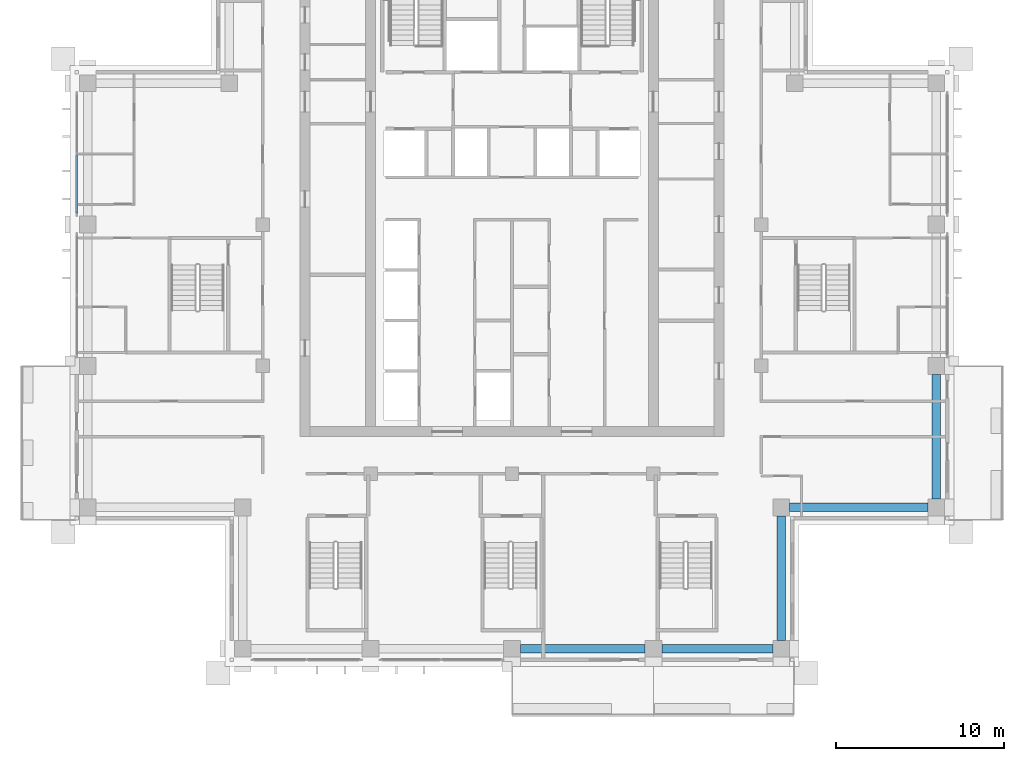
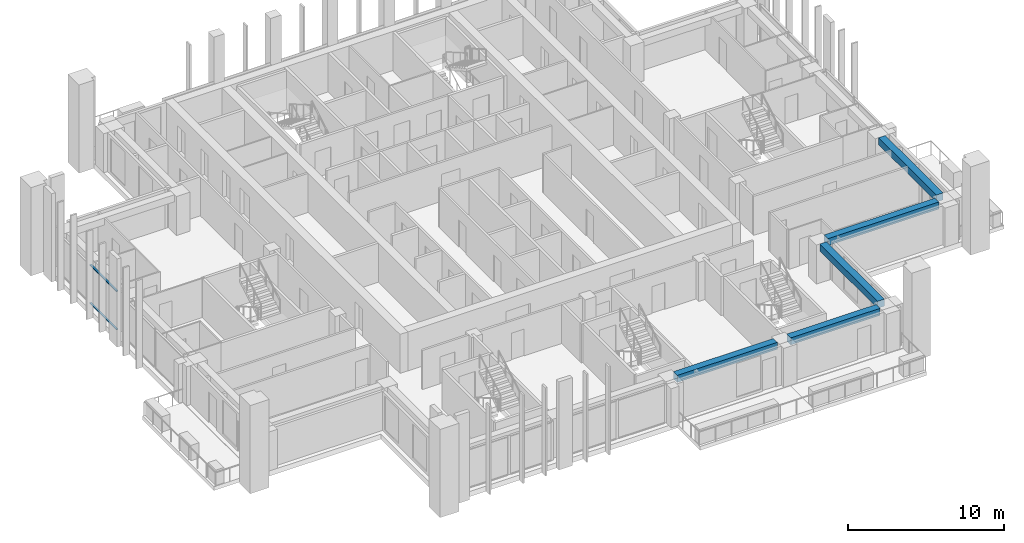
# One storey, part 3 of 18: 5 beams, 2 members, 1 element without a shape of its own.
"""IFC4 building model written with IfcOpenShell, lengths in metres."""

from ifc_helpers import new_model, si_unit, direction, frame, origin, origin_2d, place, context, subcontext, project, spatial, rectangle, extrude, material, material_profile, profile_set, type_object, element, aggregate, save


model = new_model("IFC4")

# Units and contexts
model_context = context("Model", 3, precision=1e-05, world=origin(), true_north=direction((0.0, 1.0)))
body_context = subcontext(model_context, "Body", "Model", "MODEL_VIEW")
ifc_project = project(units=[si_unit("LENGTHUNIT", "METRE"), si_unit("AREAUNIT", "SQUARE_METRE"), si_unit("VOLUMEUNIT", "CUBIC_METRE"), si_unit("PLANEANGLEUNIT", "RADIAN"), si_unit("MASSUNIT", "GRAM", prefix="KILO")], contexts=[model_context])

# Site, building, storey
site_placement = place(None, origin())
site = spatial("IfcSite", under=ifc_project, at=site_placement, CompositionType="ELEMENT")
building_placement = place(site_placement, origin())
building = spatial("IfcBuilding", under=site, at=building_placement, Name="Vermilion Ogive Tower", CompositionType="ELEMENT")
storey_placement = place(building_placement, frame((0.0, 0.0, 185.89990234375)))
storey = spatial("IfcBuildingStorey", under=building, at=storey_placement, Name="L48", CompositionType="ELEMENT", Elevation=185.89990234375)

# Curtain wall, members
ifc_material_1 = material(Name="Low-iron laminated glazing in aluminium frame", Category="aluminium")
curtain_wall_type = type_object("IfcCurtainWallType", Name="Curtain wall CW7", PredefinedType="NOTDEFINED", material=ifc_material_1)
curtain_wall_placement = place(storey_placement, origin())
curtain_wall = element("IfcCurtainWall", 1, at=curtain_wall_placement, inside=storey, type_object=curtain_wall_type, Name="Glazed skin W1", PredefinedType="NOTDEFINED")
ifc_material_2 = material(Name="Aluminium transom", Category="aluminium")
ifc_material_profile_1 = material_profile(ifc_material_2, rectangle(XDim=0.139892578125, YDim=0.06005859375, at=origin_2d()), Name="AL 60x140")
ifc_profile_set_1 = profile_set([ifc_material_profile_1], Name="Aluminium transom")
member_type = type_object("IfcMemberType", Name="CW7 transom 60x140", PredefinedType="USERDEFINED", material=ifc_profile_set_1)
member_1_placement = place(storey_placement, frame((-25.85009765625, 8.31005859375, 0.030029296875), z_axis=(0.0, -1.0, 0.0), x_axis=(1.0, 0.0, 0.0)))
member_1 = element("IfcMember", 2, at=member_1_placement, type_object=member_type, Name="CW7-W1 transom 2.1", ObjectType="TRANSOM", PredefinedType="USERDEFINED", context=body_context, shape_type="SweptSolid", body=[
    extrude(rectangle(XDim=0.139892578125, YDim=0.06005859375, at=origin_2d()), origin(), (0.0, 0.0, 1.0), 3.43017578125),
])
member_2_placement = place(storey_placement, frame((-25.85009765625, 8.31005859375, 3.02001953125), z_axis=(0.0, -1.0, 0.0), x_axis=(1.0, 0.0, 0.0)))
member_2 = element("IfcMember", 3, at=member_2_placement, type_object=member_type, Name="CW7-W1 transom 2.2", ObjectType="TRANSOM", PredefinedType="USERDEFINED", context=body_context, shape_type="SweptSolid", body=[
    extrude(rectangle(XDim=0.139892578125, YDim=0.06005859375, at=origin_2d()), origin(), (0.0, 0.0, 1.0), 3.43017578125),
])
aggregate(curtain_wall, [member_1, member_2])

# Beams
ifc_material_3 = material(Name="Concrete B45", Category="concrete")
ifc_material_profile_2 = material_profile(ifc_material_3, rectangle(XDim=0.5, YDim=0.550048828125, at=origin_2d()), Name="500 x 550")
ifc_profile_set_2 = profile_set([ifc_material_profile_2], Name="Concrete B45")
beam_type = type_object("IfcBeamType", Name="Edge beam 500 x 550 B45", PredefinedType="BEAM", material=ifc_profile_set_2)
beam_1_placement = place(storey_placement, frame((0.5, -21.0, 2.775146484375), z_axis=(1.0, 0.0, 0.0), x_axis=(0.0, 1.0, 0.0)))
element("IfcBeam", 4, at=beam_1_placement, inside=storey, type_object=beam_type, Name="L48-EB-3", PredefinedType="BEAM", context=body_context, shape_type="SweptSolid", body=[
    extrude(rectangle(XDim=0.5, YDim=0.550048828125, at=origin_2d()), origin(), (0.0, 0.0, 1.0), 7.39990234375),
])
beam_2_placement = place(storey_placement, frame((8.89990234375, -21.0, 2.775146484375), z_axis=(1.0, 0.0, 0.0), x_axis=(0.0, 1.0, 0.0)))
element("IfcBeam", 5, at=beam_2_placement, inside=storey, type_object=beam_type, Name="L48-EB-4", PredefinedType="BEAM", context=body_context, shape_type="SweptSolid", body=[
    extrude(rectangle(XDim=0.5, YDim=0.550048828125, at=origin_2d()), origin(), (0.0, 0.0, 1.0), 6.60009765625),
])
beam_3_placement = place(storey_placement, frame((16.0, -20.5, 2.775146484375), z_axis=(0.0, 1.0, 0.0), x_axis=(-1.0, 0.0, 0.0)))
element("IfcBeam", 6, at=beam_3_placement, inside=storey, type_object=beam_type, Name="L48-EB-5", PredefinedType="BEAM", context=body_context, shape_type="SweptSolid", body=[
    extrude(rectangle(XDim=0.5, YDim=0.550048828125, at=origin_2d()), origin(), (0.0, 0.0, 1.0), 7.39990234375),
])
beam_4_placement = place(storey_placement, frame((16.5, -12.60009765625, 2.775146484375), z_axis=(1.0, 0.0, 0.0), x_axis=(0.0, 1.0, 0.0)))
element("IfcBeam", 7, at=beam_4_placement, inside=storey, type_object=beam_type, Name="L48-EB-6", PredefinedType="BEAM", context=body_context, shape_type="SweptSolid", body=[
    extrude(rectangle(XDim=0.5, YDim=0.550048828125, at=origin_2d()), origin(), (0.0, 0.0, 1.0), 8.199951171875),
])
beam_5_placement = place(storey_placement, frame((25.199951171875, -12.10009765625, 2.775146484375), z_axis=(0.0, 1.0, 0.0), x_axis=(-1.0, 0.0, 0.0)))
element("IfcBeam", 8, at=beam_5_placement, inside=storey, type_object=beam_type, Name="L48-EB-7", PredefinedType="BEAM", context=body_context, shape_type="SweptSolid", body=[
    extrude(rectangle(XDim=0.5, YDim=0.550048828125, at=origin_2d()), origin(), (0.0, 0.0, 1.0), 7.400146484375),
])

save(model, "model.ifc")
